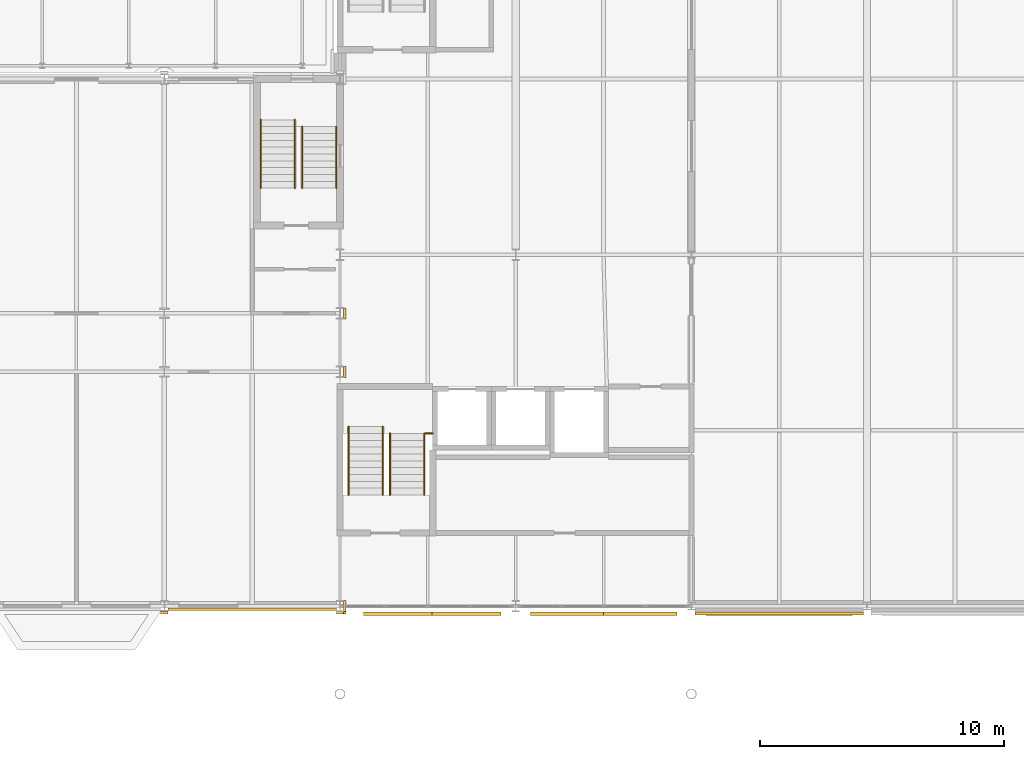
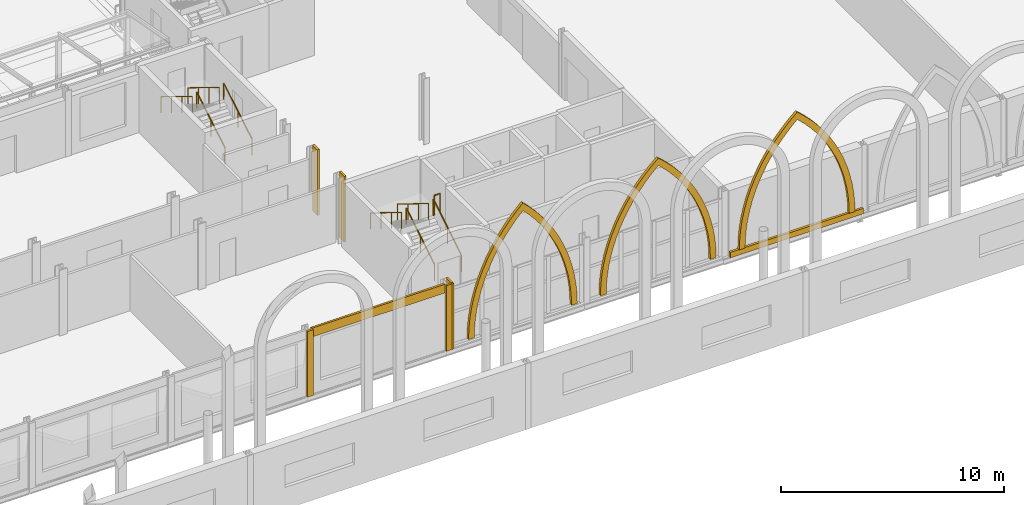
# One storey, part 127 of 143: 11 coverings, 9 railings.
"""IFC4 building model written with IfcOpenShell, lengths in metres."""

from ifc_helpers import new_model, si_unit, direction, frame, origin, origin_2d, place, context, subcontext, project, spatial, polyline, rectangle, circle, outline, extrude, material, layer, layer_set, type_object, element, save


model = new_model("IFC4")

# Units and contexts
model_context = context("Model", 3, precision=1e-05, world=origin(), true_north=direction((0.0, 1.0)))
body_context = subcontext(model_context, "Body", "Model", "MODEL_VIEW")
ifc_project = project(units=[si_unit("LENGTHUNIT", "METRE"), si_unit("AREAUNIT", "SQUARE_METRE"), si_unit("VOLUMEUNIT", "CUBIC_METRE"), si_unit("PLANEANGLEUNIT", "RADIAN"), si_unit("MASSUNIT", "GRAM", prefix="KILO")], contexts=[model_context])

# Site, building, storey
site_placement = place(None, origin())
site = spatial("IfcSite", under=ifc_project, at=site_placement, CompositionType="ELEMENT")
building_placement = place(site_placement, origin())
building = spatial("IfcBuilding", under=site, at=building_placement, Name="Kupolbacken Congress Centre", CompositionType="ELEMENT")
storey_placement = place(building_placement, frame((0.0, 0.0, 7.199951171875)))
storey = spatial("IfcBuildingStorey", under=building, at=storey_placement, Name="L02", CompositionType="ELEMENT", Elevation=7.199951171875)

# Coverings
ifc_material_1 = material(Name="Limestone cladding", Category="masonry")
ifc_layer_1 = layer(ifc_material_1, 0.1201171875)
ifc_layer_set_1 = layer_set([ifc_layer_1], Name="Limestone cladding")
covering_type_1 = type_object("IfcCoveringType", Name="CV1 limestone cladding band 120", PredefinedType="CLADDING", material=ifc_layer_set_1)
covering_1_placement = place(storey_placement, frame((154.800048828125, 122.10009765625, 0.0), z_axis=(0.0, 0.0, 1.0), x_axis=(1.0, 0.0, 0.0)))
element("IfcCovering", 1, at=covering_1_placement, inside=storey, type_object=covering_type_1, Name="E/B/S/L02/212/band", PredefinedType="CLADDING", context=body_context, shape_type="SweptSolid", body=[
    extrude(rectangle(XDim=6.89990234375, YDim=0.1201171875, at=origin_2d()), origin(), (0.0, 0.0, 1.0), 0.300048828125),
])
covering_2_placement = place(storey_placement, frame((133.20166015625, 122.262451171875, 3.1201171875), z_axis=(0.0, 0.0, 1.0), x_axis=(1.0, 0.0, 0.0)))
element("IfcCovering", 2, at=covering_2_placement, inside=storey, type_object=covering_type_1, Name="E/T/S/L02/029/band", PredefinedType="CLADDING", context=body_context, shape_type="SweptSolid", body=[
    extrude(rectangle(XDim=6.896484375, YDim=0.10498046875, at=origin_2d()), origin(), (0.0, 0.0, 1.0), 0.47998046875),
])
covering_3_placement = place(storey_placement, frame((129.60009765625, 122.134033203125, 0.0), z_axis=(0.0, 0.0, 1.0), x_axis=(1.0, 0.0, 0.0)))
element("IfcCovering", 3, at=covering_3_placement, inside=storey, type_object=covering_type_1, Name="E/T/pilaster/L02/C-T-19T/S", PredefinedType="CLADDING", context=body_context, shape_type="SweptSolid", body=[
    extrude(rectangle(XDim=0.306884765625, YDim=0.10009765625, at=origin_2d()), origin(), (0.0, 0.0, 1.0), 3.60009765625),
])
covering_4_placement = place(storey_placement, frame((137.0, 122.125, 0.0), z_axis=(0.0, 0.0, 1.0), x_axis=(1.0, 0.0, 0.0)))
element("IfcCovering", 4, at=covering_4_placement, inside=storey, type_object=covering_type_1, Name="E/T/pilaster/L02/C-T-20T/corner", PredefinedType="CLADDING", context=body_context, shape_type="SweptSolid", body=[
    extrude(rectangle(XDim=0.10009765625, YDim=0.10009765625, at=origin_2d()), origin(), (0.0, 0.0, 1.0), 3.60009765625),
])
covering_5_placement = place(storey_placement, frame((137.0, 122.39990234375, 0.0), z_axis=(0.0, 0.0, 1.0), x_axis=(1.0, 0.0, 0.0)))
element("IfcCovering", 5, at=covering_5_placement, inside=storey, type_object=covering_type_1, Name="E/T/pilaster/L02/C-T-20T/E", PredefinedType="CLADDING", context=body_context, shape_type="SweptSolid", body=[
    extrude(rectangle(XDim=0.10009765625, YDim=0.449951171875, at=origin_2d()), origin(), (0.0, 0.0, 1.0), 3.60009765625),
])
covering_6_placement = place(storey_placement, frame((136.800048828125, 122.125, 0.0), z_axis=(0.0, 0.0, 1.0), x_axis=(1.0, 0.0, 0.0)))
element("IfcCovering", 6, at=covering_6_placement, inside=storey, type_object=covering_type_1, Name="E/T/pilaster/L02/C-T-20T/S", PredefinedType="CLADDING", context=body_context, shape_type="SweptSolid", body=[
    extrude(rectangle(XDim=0.300048828125, YDim=0.10009765625, at=origin_2d()), origin(), (0.0, 0.0, 1.0), 3.60009765625),
])
for number, where, z_axis, x_axis, name in (
    (7, (137.0, 132.0, 0.0), (0.0, 0.0, 1.0), (1.0, 0.0, 0.0), "E/T/pilaster/L02/C-T-20U+2400/E"),
    (8, (137.0, 134.39990234375, 0.0), (0.0, 0.0, 1.0), (1.0, 0.0, 0.0), "E/T/pilaster/L02/C-T-20U+4800/E"),
):
    element("IfcCovering", number, at=place(storey_placement, frame(where, z_axis=z_axis, x_axis=x_axis)), inside=storey, type_object=covering_type_1, Name=name, PredefinedType="CLADDING", context=body_context, shape_type="SweptSolid", body=[
        extrude(rectangle(XDim=0.10009765625, YDim=0.449951171875, at=origin_2d()), origin(), (0.0, 0.0, 1.0), 3.60009765625),
    ])
ifc_material_2 = material(Name="Limestone cladding", Category="masonry")
ifc_layer_2 = layer(ifc_material_2, 0.14990234375)
ifc_layer_set_2 = layer_set([ifc_layer_2], Name="Limestone cladding")
covering_type_2 = type_object("IfcCoveringType", Name="CV4 limestone blind arch frame 150", PredefinedType="CLADDING", material=ifc_layer_set_2)
covering_7_placement = place(storey_placement, frame((137.760009765625, 122.159912109375, 0.300048828125), z_axis=(0.0, -1.0, 0.0), x_axis=(1.0, 0.0, 0.0)))
element("IfcCovering", 9, at=covering_7_placement, inside=storey, type_object=covering_type_2, Name="F/B/S/arch/00/7.5", PredefinedType="CLADDING", context=body_context, shape_type="SweptSolid", body=[
    extrude(outline(polyline([(0.0, 0.0), (0.01513671875, 0.520263671875), (0.060791015625, 1.038818359375), (0.13671875, 1.553466796875), (0.242431640625, 2.06298828125), (0.377685546875, 2.565673828125), (0.542236328125, 3.059326171875), (0.7353515625, 3.542724609375), (0.956298828125, 4.013916015625), (1.20458984375, 4.47119140625), (1.47900390625, 4.91357421875), (1.77880859375, 5.3388671875), (2.10302734375, 5.74609375), (2.450439453125, 6.133544921875), (2.820068359375, 6.5), (3.189453125, 6.133544921875), (3.536865234375, 5.74609375), (3.861083984375, 5.3388671875), (4.160888671875, 4.91357421875), (4.435546875, 4.47119140625), (4.68359375, 4.013916015625), (4.904541015625, 3.542724609375), (5.09765625, 3.059326171875), (5.26220703125, 2.565673828125), (5.397705078125, 2.06298828125), (5.50341796875, 1.553466796875), (5.5791015625, 1.038818359375), (5.624755859375, 0.520263671875), (5.639892578125, 0.0), (5.340087890625, 0.0), (5.326416015625, 0.482421875), (5.285888671875, 0.963134765625), (5.218505859375, 1.44091796875), (5.124267578125, 1.914306640625), (5.003662109375, 2.381591796875), (4.857177734375, 2.84130859375), (4.68505859375, 3.2919921875), (4.48779296875, 3.732421875), (4.266357421875, 4.1611328125), (4.021240234375, 4.576904296875), (3.753173828125, 4.977783203125), (3.462890625, 5.363525390625), (3.151611328125, 5.732177734375), (2.820068359375, 6.082763671875), (2.488525390625, 5.732177734375), (2.177001953125, 5.363525390625), (1.886962890625, 4.977783203125), (1.618896484375, 4.576904296875), (1.37353515625, 4.1611328125), (1.152099609375, 3.732421875), (0.954833984375, 3.2919921875), (0.78271484375, 2.84130859375), (0.63623046875, 2.381591796875), (0.515625, 1.914306640625), (0.421630859375, 1.44091796875), (0.35400390625, 0.963134765625), (0.3134765625, 0.482421875), (0.300048828125, 0.0), (0.0, 0.0)])), origin(), (0.0, 0.0, 1.0), 0.14990234375),
])
covering_8_placement = place(storey_placement, frame((144.60009765625, 122.159912109375, 0.300048828125), z_axis=(0.0, -1.0, 0.0), x_axis=(1.0, 0.0, 0.0)))
element("IfcCovering", 10, at=covering_8_placement, inside=storey, type_object=covering_type_2, Name="F/B/S/arch/01/7.5", PredefinedType="CLADDING", context=body_context, shape_type="SweptSolid", body=[
    extrude(outline(polyline([(0.0, 0.0), (0.016357421875, 0.52734375), (0.065185546875, 1.052490234375), (0.146240234375, 1.573974609375), (0.259521484375, 2.089111328125), (0.404296875, 2.596435546875), (0.580078125, 3.093994140625), (0.7861328125, 3.57958984375), (1.02197265625, 4.051513671875), (1.286376953125, 4.5078125), (1.57861328125, 4.947265625), (1.897216796875, 5.36767578125), (2.2412109375, 5.767578125), (2.609375, 6.1455078125), (3.0, 6.5), (3.390625, 6.1455078125), (3.7587890625, 5.767578125), (4.102783203125, 5.36767578125), (4.42138671875, 4.947265625), (4.713623046875, 4.5078125), (4.97802734375, 4.051513671875), (5.2138671875, 3.57958984375), (5.419921875, 3.093994140625), (5.595703125, 2.596435546875), (5.740478515625, 2.089111328125), (5.853759765625, 1.573974609375), (5.934814453125, 1.052490234375), (5.983642578125, 0.52734375), (6.0, 0.0), (5.699951171875, 0.0), (5.685302734375, 0.490234375), (5.6416015625, 0.97900390625), (5.56884765625, 1.464111328125), (5.467529296875, 1.94384765625), (5.337646484375, 2.4169921875), (5.179931640625, 2.88134765625), (4.994873046875, 3.335693359375), (4.782958984375, 3.778076171875), (4.54541015625, 4.20703125), (4.282470703125, 4.621337890625), (3.99560546875, 5.01904296875), (3.685302734375, 5.39892578125), (3.35302734375, 5.760009765625), (3.0, 6.100341796875), (2.64697265625, 5.760009765625), (2.314697265625, 5.39892578125), (2.00439453125, 5.01904296875), (1.717529296875, 4.621337890625), (1.45458984375, 4.20703125), (1.217041015625, 3.778076171875), (1.005126953125, 3.335693359375), (0.820068359375, 2.88134765625), (0.662353515625, 2.4169921875), (0.532470703125, 1.94384765625), (0.43115234375, 1.464111328125), (0.3583984375, 0.97900390625), (0.314697265625, 0.490234375), (0.300048828125, 0.0), (0.0, 0.0)])), origin(), (0.0, 0.0, 1.0), 0.14990234375),
])
covering_9_placement = place(storey_placement, frame((151.800048828125, 122.159912109375, 0.300048828125), z_axis=(0.0, -1.0, 0.0), x_axis=(1.0, 0.0, 0.0)))
element("IfcCovering", 11, at=covering_9_placement, inside=storey, type_object=covering_type_2, Name="F/B/S/arch/02/7.5", PredefinedType="CLADDING", context=body_context, shape_type="SweptSolid", body=[
    extrude(outline(polyline([(0.0, 0.0), (0.016357421875, 0.52734375), (0.065185546875, 1.052490234375), (0.146240234375, 1.573974609375), (0.259521484375, 2.089111328125), (0.404296875, 2.596435546875), (0.580078125, 3.093994140625), (0.7861328125, 3.57958984375), (1.02197265625, 4.051513671875), (1.286376953125, 4.5078125), (1.57861328125, 4.947265625), (1.897216796875, 5.36767578125), (2.2412109375, 5.767578125), (2.609375, 6.1455078125), (3.0, 6.5), (3.390625, 6.1455078125), (3.7587890625, 5.767578125), (4.102783203125, 5.36767578125), (4.42138671875, 4.947265625), (4.713623046875, 4.5078125), (4.97802734375, 4.051513671875), (5.2138671875, 3.57958984375), (5.419921875, 3.093994140625), (5.595703125, 2.596435546875), (5.740478515625, 2.089111328125), (5.853759765625, 1.573974609375), (5.934814453125, 1.052490234375), (5.983642578125, 0.52734375), (6.0, 0.0), (5.699951171875, 0.0), (5.685302734375, 0.490234375), (5.6416015625, 0.97900390625), (5.56884765625, 1.464111328125), (5.467529296875, 1.94384765625), (5.337646484375, 2.4169921875), (5.179931640625, 2.88134765625), (4.994873046875, 3.335693359375), (4.782958984375, 3.778076171875), (4.54541015625, 4.20703125), (4.282470703125, 4.621337890625), (3.99560546875, 5.01904296875), (3.685302734375, 5.39892578125), (3.35302734375, 5.760009765625), (3.0, 6.100341796875), (2.64697265625, 5.760009765625), (2.314697265625, 5.39892578125), (2.00439453125, 5.01904296875), (1.717529296875, 4.621337890625), (1.45458984375, 4.20703125), (1.217041015625, 3.778076171875), (1.005126953125, 3.335693359375), (0.820068359375, 2.88134765625), (0.662353515625, 2.4169921875), (0.532470703125, 1.94384765625), (0.43115234375, 1.464111328125), (0.3583984375, 0.97900390625), (0.314697265625, 0.490234375), (0.300048828125, 0.0), (0.0, 0.0)])), origin(), (0.0, 0.0, 1.0), 0.14990234375),
])

# Railings
ifc_material_3 = material(Name="Steel S235", Category="steel")
railing_type_1 = type_object("IfcRailingType", Name="RL1 guard 1100 steel balustrade", PredefinedType="GUARDRAIL", material=ifc_material_3)
railing_placement = place(storey_placement, frame((140.300048828125, 129.47509765625, 1.71435546875)))
element("IfcRailing", 12, at=railing_placement, inside=storey, type_object=railing_type_1, Name="C/slotguard/BS1/L02/lo", PredefinedType="GUARDRAIL", context=body_context, shape_type="SweptSolid", body=[
    extrude(circle(Radius=0.02392578125, at=origin_2d()), frame((0.0, 0.0, 1.076171875), z_axis=(1.0, 0.0, 0.0), x_axis=(0.0, 1.0, 0.0)), (0.0, 0.0, 1.0), 0.300048828125),
    extrude(circle(Radius=0.02099609375, at=origin_2d()), origin(), (0.0, 0.0, 1.0), 1.052001953125),
    extrude(circle(Radius=0.02099609375, at=origin_2d()), frame((0.300048828125, 0.0, 0.0)), (0.0, 0.0, 1.0), 1.052001953125),
])
ifc_material_4 = material(Name="Steel S235", Category="steel")
railing_type_2 = type_object("IfcRailingType", Name="RL3 handrail wall-mounted 900", PredefinedType="HANDRAIL", material=ifc_material_4)
for number, where, name in (
    (13, (135.25, 139.530029296875, 0.17138671875), "C/stair/TS4/L02/HR1L"),
    (14, (136.64990234375, 139.530029296875, 0.17138671875), "C/stair/TS4/L02/HR1R"),
):
    element("IfcRailing", number, at=place(storey_placement, frame(where)), inside=storey, type_object=railing_type_2, Name=name, PredefinedType="HANDRAIL", context=body_context, shape_type="SweptSolid", body=[
        extrude(circle(Radius=0.02392578125, at=origin_2d()), frame((0.0, 0.0, 0.8759765625), z_axis=(0.0, 0.852836285881, 0.522178388565), x_axis=(-1.0, 0.0, 0.0)), (0.0, 0.0, 1.0), 2.954833984375),
        extrude(circle(Radius=0.02099609375, at=origin_2d()), origin(), (0.0, 0.0, 1.0), 0.851806640625),
        extrude(circle(Radius=0.02099609375, at=origin_2d()), frame((0.0, 1.260009765625, 0.771484375)), (0.0, 0.0, 1.0), 0.851806640625),
        extrude(circle(Radius=0.02099609375, at=origin_2d()), frame((0.0, 2.52001953125, 1.54296875)), (0.0, 0.0, 1.0), 0.851806640625),
    ])
for number, where, name in (
    (15, (134.949951171875, 142.330078125, 1.8857421875), "C/stair/TS4/L02/HR2L"),
    (16, (133.550048828125, 142.330078125, 1.8857421875), "C/stair/TS4/L02/HR2R"),
):
    element("IfcRailing", number, at=place(storey_placement, frame(where)), inside=storey, type_object=railing_type_2, Name=name, PredefinedType="HANDRAIL", context=body_context, shape_type="SweptSolid", body=[
        extrude(circle(Radius=0.02392578125, at=origin_2d()), frame((0.0, 0.0, 0.8759765625), z_axis=(0.0, -0.852845897599, 0.522162690116), x_axis=(1.0, 0.0, 0.0)), (0.0, 0.0, 1.0), 3.283203125),
        extrude(circle(Radius=0.02099609375, at=origin_2d()), origin(), (0.0, 0.0, 1.0), 0.851806640625),
        extrude(circle(Radius=0.02099609375, at=origin_2d()), frame((0.0, -0.933349609375, 0.571533203125)), (0.0, 0.0, 1.0), 0.851806640625),
        extrude(circle(Radius=0.02099609375, at=origin_2d()), frame((0.0, -1.86669921875, 1.142822265625)), (0.0, 0.0, 1.0), 0.851806640625),
        extrude(circle(Radius=0.02099609375, at=origin_2d()), frame((0.0, -2.800048828125, 1.71435546875)), (0.0, 0.0, 1.0), 0.851806640625),
    ])
for number, where, name in (
    (17, (138.85009765625, 126.955078125, 0.17138671875), "C/stair/BS1/L02/HR1L"),
    (18, (140.25, 126.955078125, 0.17138671875), "C/stair/BS1/L02/HR1R"),
):
    element("IfcRailing", number, at=place(storey_placement, frame(where)), inside=storey, type_object=railing_type_2, Name=name, PredefinedType="HANDRAIL", context=body_context, shape_type="SweptSolid", body=[
        extrude(circle(Radius=0.02392578125, at=origin_2d()), frame((0.0, 0.0, 0.8759765625), z_axis=(0.0, 0.852836285881, 0.522178388565), x_axis=(-1.0, 0.0, 0.0)), (0.0, 0.0, 1.0), 2.954833984375),
        extrude(circle(Radius=0.02099609375, at=origin_2d()), origin(), (0.0, 0.0, 1.0), 0.851806640625),
        extrude(circle(Radius=0.02099609375, at=origin_2d()), frame((0.0, 1.260009765625, 0.771484375)), (0.0, 0.0, 1.0), 0.851806640625),
        extrude(circle(Radius=0.02099609375, at=origin_2d()), frame((0.0, 2.52001953125, 1.54296875)), (0.0, 0.0, 1.0), 0.851806640625),
    ])
for number, where, name in (
    (19, (138.550048828125, 129.7548828125, 1.8857421875), "C/stair/BS1/L02/HR2L"),
    (20, (137.14990234375, 129.7548828125, 1.8857421875), "C/stair/BS1/L02/HR2R"),
):
    element("IfcRailing", number, at=place(storey_placement, frame(where)), inside=storey, type_object=railing_type_2, Name=name, PredefinedType="HANDRAIL", context=body_context, shape_type="SweptSolid", body=[
        extrude(circle(Radius=0.02392578125, at=origin_2d()), frame((0.0, 0.0, 0.8759765625), z_axis=(0.0, -0.852825620865, 0.522195806567), x_axis=(1.0, 0.0, 0.0)), (0.0, 0.0, 1.0), 3.282958984375),
        extrude(circle(Radius=0.02099609375, at=origin_2d()), origin(), (0.0, 0.0, 1.0), 0.851806640625),
        extrude(circle(Radius=0.02099609375, at=origin_2d()), frame((0.0, -0.933349609375, 0.571533203125)), (0.0, 0.0, 1.0), 0.851806640625),
        extrude(circle(Radius=0.02099609375, at=origin_2d()), frame((0.0, -1.866455078125, 1.142822265625)), (0.0, 0.0, 1.0), 0.851806640625),
        extrude(circle(Radius=0.02099609375, at=origin_2d()), frame((0.0, -2.7998046875, 1.71435546875)), (0.0, 0.0, 1.0), 0.851806640625),
    ])

save(model, "model.ifc")
